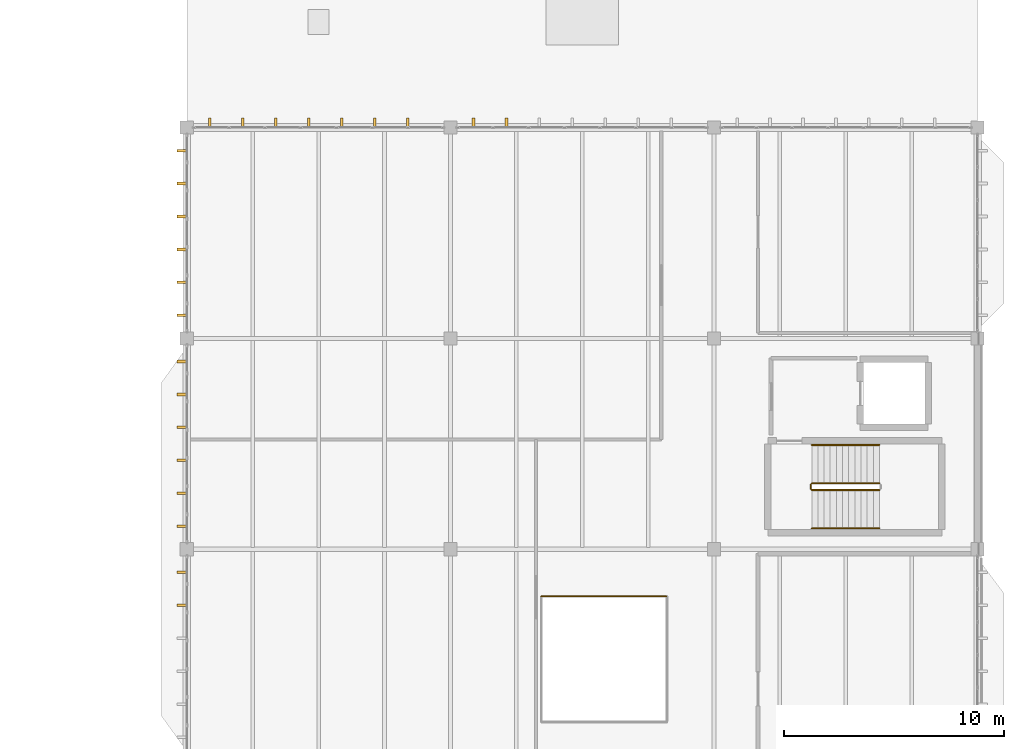
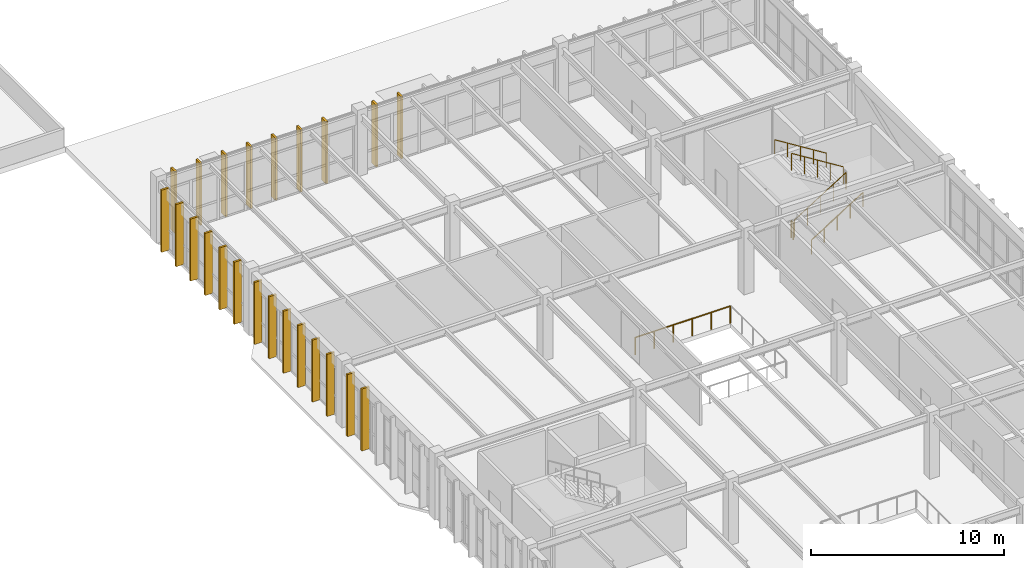
# One storey, part 81 of 83: 23 shading devices, 6 railings.
"""IFC4 building model written with IfcOpenShell, lengths in metres."""

from ifc_helpers import new_model, si_unit, direction, frame, origin, origin_2d, place, context, subcontext, project, spatial, rectangle, circle, extrude, material, type_object, element, save


model = new_model("IFC4")

# Units and contexts
model_context = context("Model", 3, precision=1e-05, world=origin(), true_north=direction((0.0, 1.0)))
body_context = subcontext(model_context, "Body", "Model", "MODEL_VIEW")
ifc_project = project(units=[si_unit("LENGTHUNIT", "METRE"), si_unit("AREAUNIT", "SQUARE_METRE"), si_unit("VOLUMEUNIT", "CUBIC_METRE"), si_unit("PLANEANGLEUNIT", "RADIAN"), si_unit("MASSUNIT", "GRAM", prefix="KILO")], contexts=[model_context])

# Site, building, storey
site_placement = place(None, origin())
site = spatial("IfcSite", under=ifc_project, at=site_placement, CompositionType="ELEMENT")
building_placement = place(site_placement, origin())
building = spatial("IfcBuilding", under=site, at=building_placement, Name="Pandanus Reach Market Hall", CompositionType="ELEMENT")
storey_placement = place(building_placement, frame((0.0, 0.0, 10.199951171875)))
storey = spatial("IfcBuildingStorey", under=building, at=storey_placement, Name="L02", CompositionType="ELEMENT", Elevation=10.199951171875)

# Shading devices
ifc_material_1 = material(Name="Precast concrete S50 (50 MPa)", Category="concrete")
shading_device_type = type_object("IfcShadingDeviceType", Name="FN-S50-450", PredefinedType="JALOUSIE", material=ifc_material_1)
for number, where, z_axis, x_axis, name in (
    (1, (145.050048828125, 86.6201171875, -0.010009765625), (0.0, 0.0, 1.0), (0.0, 1.0, 0.0), "Precast brise-soleil fin 423"),
    (2, (146.550048828125, 86.6201171875, -0.010009765625), (0.0, 0.0, 1.0), (0.0, 1.0, 0.0), "Precast brise-soleil fin 424"),
    (3, (148.050048828125, 86.6201171875, -0.010009765625), (0.0, 0.0, 1.0), (0.0, 1.0, 0.0), "Precast brise-soleil fin 425"),
    (4, (149.550048828125, 86.6201171875, -0.010009765625), (0.0, 0.0, 1.0), (0.0, 1.0, 0.0), "Precast brise-soleil fin 426"),
    (5, (151.050048828125, 86.6201171875, -0.010009765625), (0.0, 0.0, 1.0), (0.0, 1.0, 0.0), "Precast brise-soleil fin 427"),
    (6, (152.550048828125, 86.6201171875, -0.010009765625), (0.0, 0.0, 1.0), (0.0, 1.0, 0.0), "Precast brise-soleil fin 428"),
    (7, (154.050048828125, 86.6201171875, -0.010009765625), (0.0, 0.0, 1.0), (0.0, 1.0, 0.0), "Precast brise-soleil fin 429"),
    (8, (157.050048828125, 86.6201171875, -0.010009765625), (0.0, 0.0, 1.0), (0.0, 1.0, 0.0), "Precast brise-soleil fin 430"),
    (9, (158.550048828125, 86.6201171875, -0.010009765625), (0.0, 0.0, 1.0), (0.0, 1.0, 0.0), "Precast brise-soleil fin 431"),
    (10, (143.780029296875, 64.64990234375, -0.010009765625), (0.0, 0.0, 1.0), (-1.0, 0.0, 0.0), "Precast brise-soleil fin 496"),
    (11, (143.780029296875, 66.14990234375, -0.010009765625), (0.0, 0.0, 1.0), (-1.0, 0.0, 0.0), "Precast brise-soleil fin 497"),
    (12, (143.780029296875, 68.25, -0.010009765625), (0.0, 0.0, 1.0), (-1.0, 0.0, 0.0), "Precast brise-soleil fin 498"),
    (13, (143.780029296875, 69.75, -0.010009765625), (0.0, 0.0, 1.0), (-1.0, 0.0, 0.0), "Precast brise-soleil fin 499"),
    (14, (143.780029296875, 71.25, -0.010009765625), (0.0, 0.0, 1.0), (-1.0, 0.0, 0.0), "Precast brise-soleil fin 500"),
    (15, (143.780029296875, 72.75, -0.010009765625), (0.0, 0.0, 1.0), (-1.0, 0.0, 0.0), "Precast brise-soleil fin 501"),
    (16, (143.780029296875, 74.25, -0.010009765625), (0.0, 0.0, 1.0), (-1.0, 0.0, 0.0), "Precast brise-soleil fin 502"),
    (17, (143.780029296875, 75.75, -0.010009765625), (0.0, 0.0, 1.0), (-1.0, 0.0, 0.0), "Precast brise-soleil fin 503"),
    (18, (143.780029296875, 77.85009765625, -0.010009765625), (0.0, 0.0, 1.0), (-1.0, 0.0, 0.0), "Precast brise-soleil fin 504"),
    (19, (143.780029296875, 79.35009765625, -0.010009765625), (0.0, 0.0, 1.0), (-1.0, 0.0, 0.0), "Precast brise-soleil fin 505"),
    (20, (143.780029296875, 80.85009765625, -0.010009765625), (0.0, 0.0, 1.0), (-1.0, 0.0, 0.0), "Precast brise-soleil fin 506"),
    (21, (143.780029296875, 82.35009765625, -0.010009765625), (0.0, 0.0, 1.0), (-1.0, 0.0, 0.0), "Precast brise-soleil fin 507"),
    (22, (143.780029296875, 83.85009765625, -0.010009765625), (0.0, 0.0, 1.0), (-1.0, 0.0, 0.0), "Precast brise-soleil fin 508"),
    (23, (143.780029296875, 85.35009765625, -0.010009765625), (0.0, 0.0, 1.0), (-1.0, 0.0, 0.0), "Precast brise-soleil fin 509"),
):
    element("IfcShadingDevice", number, at=place(storey_placement, frame(where, z_axis=z_axis, x_axis=x_axis)), inside=storey, type_object=shading_device_type, Name=name, PredefinedType="JALOUSIE", context=body_context, shape_type="SweptSolid", body=[
        extrude(rectangle(XDim=0.449951171875, YDim=0.1201171875, at=origin_2d()), origin(), (0.0, 0.0, 1.0), 3.919921875),
    ])

# Railings
ifc_material_2 = material(Name="Galvanised steel Grade 350 (350 MPa)", Category="steel")
railing_type_1 = type_object("IfcRailingType", Name="GR-INT-110", PredefinedType="GUARDRAIL", material=ifc_material_2)
railing_1_placement = place(storey_placement, frame((172.449951171875, 69.89990234375, 0.175048828125)))
element("IfcRailing", 24, at=railing_1_placement, inside=storey, type_object=railing_type_1, Name="Stair guard ST-02 L02.50", PredefinedType="GUARDRAIL", context=body_context, shape_type="SweptSolid", body=[
    extrude(circle(Radius=0.02392578125, at=origin_2d()), frame((0.0, 0.0, 1.076171875), z_axis=(0.847998304005, 0.0, 0.529998940003), x_axis=(0.0, 1.0, 0.0)), (0.0, 0.0, 1.0), 3.632080078125),
    extrude(circle(Radius=0.02099609375, at=origin_2d()), origin(), (0.0, 0.0, 1.0), 1.052001953125),
    extrude(circle(Radius=0.02099609375, at=origin_2d()), frame((0.77001953125, 0.0, 0.481201171875)), (0.0, 0.0, 1.0), 1.052001953125),
    extrude(circle(Radius=0.02099609375, at=origin_2d()), frame((1.5400390625, 0.0, 0.96240234375)), (0.0, 0.0, 1.0), 1.052001953125),
    extrude(circle(Radius=0.02099609375, at=origin_2d()), frame((2.31005859375, 0.0, 1.44384765625)), (0.0, 0.0, 1.0), 1.052001953125),
    extrude(circle(Radius=0.02099609375, at=origin_2d()), frame((3.080078125, 0.0, 1.925048828125)), (0.0, 0.0, 1.0), 1.052001953125),
])
railing_2_placement = place(storey_placement, frame((175.530029296875, 70.199951171875, 2.275146484375)))
element("IfcRailing", 25, at=railing_2_placement, inside=storey, type_object=railing_type_1, Name="Stair guard ST-02 L02.52", PredefinedType="GUARDRAIL", context=body_context, shape_type="SweptSolid", body=[
    extrude(circle(Radius=0.02392578125, at=origin_2d()), frame((0.0, 0.0, 1.076171875), z_axis=(-0.848028513186, 0.0, 0.529950602248), x_axis=(0.0, -1.0, 0.0)), (0.0, 0.0, 1.0), 3.632080078125),
    extrude(circle(Radius=0.02099609375, at=origin_2d()), origin(), (0.0, 0.0, 1.0), 1.052001953125),
    extrude(circle(Radius=0.02099609375, at=origin_2d()), frame((-0.77001953125, 0.0, 0.481201171875)), (0.0, 0.0, 1.0), 1.052001953125),
    extrude(circle(Radius=0.02099609375, at=origin_2d()), frame((-1.5400390625, 0.0, 0.96240234375)), (0.0, 0.0, 1.0), 1.052001953125),
    extrude(circle(Radius=0.02099609375, at=origin_2d()), frame((-2.31005859375, 0.0, 1.443603515625)), (0.0, 0.0, 1.0), 1.052001953125),
    extrude(circle(Radius=0.02099609375, at=origin_2d()), frame((-3.080078125, 0.0, 1.9248046875)), (0.0, 0.0, 1.0), 1.052001953125),
])
railing_3_placement = place(storey_placement, frame((172.39990234375, 69.949951171875, 0.0)))
element("IfcRailing", 26, at=railing_3_placement, inside=storey, type_object=railing_type_1, Name="Stair guard ST-02 L02.53", PredefinedType="GUARDRAIL", context=body_context, shape_type="SweptSolid", body=[
    extrude(circle(Radius=0.02392578125, at=origin_2d()), frame((0.0, 0.0, 1.076171875), z_axis=(0.0, 1.0, 0.0), x_axis=(-1.0, 0.0, 0.0)), (0.0, 0.0, 1.0), 0.199951171875),
    extrude(circle(Radius=0.02099609375, at=origin_2d()), origin(), (0.0, 0.0, 1.0), 1.052001953125),
    extrude(circle(Radius=0.02099609375, at=origin_2d()), frame((0.0, 0.199951171875, 0.0)), (0.0, 0.0, 1.0), 1.052001953125),
])
railing_4_placement = place(storey_placement, frame((165.820068359375, 65.06005859375, 0.0)))
element("IfcRailing", 27, at=railing_4_placement, inside=storey, type_object=railing_type_1, Name="Atrium lightwell guard L02.239", PredefinedType="GUARDRAIL", context=body_context, shape_type="SweptSolid", body=[
    extrude(circle(Radius=0.02392578125, at=origin_2d()), frame((0.0, 0.0, 1.076171875), z_axis=(-1.0, 0.0, 0.0), x_axis=(0.0, -1.0, 0.0)), (0.0, 0.0, 1.0), 5.68017578125),
    extrude(circle(Radius=0.02099609375, at=origin_2d()), origin(), (0.0, 0.0, 1.0), 1.052001953125),
    extrude(circle(Radius=0.02099609375, at=origin_2d()), frame((-1.135986328125, 0.0, 0.0)), (0.0, 0.0, 1.0), 1.052001953125),
    extrude(circle(Radius=0.02099609375, at=origin_2d()), frame((-2.27197265625, 0.0, 0.0)), (0.0, 0.0, 1.0), 1.052001953125),
    extrude(circle(Radius=0.02099609375, at=origin_2d()), frame((-3.408203125, 0.0, 0.0)), (0.0, 0.0, 1.0), 1.052001953125),
    extrude(circle(Radius=0.02099609375, at=origin_2d()), frame((-4.544189453125, 0.0, 0.0)), (0.0, 0.0, 1.0), 1.052001953125),
    extrude(circle(Radius=0.02099609375, at=origin_2d()), frame((-5.68017578125, 0.0, 0.0)), (0.0, 0.0, 1.0), 1.052001953125),
])
ifc_material_3 = material(Name="Brushed stainless steel", Category="steel")
railing_type_2 = type_object("IfcRailingType", Name="HR-WAL-090", PredefinedType="HANDRAIL", material=ifc_material_3)
railing_5_placement = place(storey_placement, frame((172.449951171875, 68.14990234375, 0.175048828125)))
element("IfcRailing", 28, at=railing_5_placement, inside=storey, type_object=railing_type_2, Name="Stair handrail ST-02 L02.54", PredefinedType="HANDRAIL", context=body_context, shape_type="SweptSolid", body=[
    extrude(circle(Radius=0.02392578125, at=origin_2d()), frame((0.0, 0.0, 0.8759765625), z_axis=(0.847998304005, 0.0, 0.529998940003), x_axis=(0.0, 1.0, 0.0)), (0.0, 0.0, 1.0), 3.632080078125),
    extrude(circle(Radius=0.02099609375, at=origin_2d()), origin(), (0.0, 0.0, 1.0), 0.851806640625),
    extrude(circle(Radius=0.02099609375, at=origin_2d()), frame((0.77001953125, 0.0, 0.481201171875)), (0.0, 0.0, 1.0), 0.851806640625),
    extrude(circle(Radius=0.02099609375, at=origin_2d()), frame((1.5400390625, 0.0, 0.96240234375)), (0.0, 0.0, 1.0), 0.851806640625),
    extrude(circle(Radius=0.02099609375, at=origin_2d()), frame((2.31005859375, 0.0, 1.44384765625)), (0.0, 0.0, 1.0), 0.851806640625),
    extrude(circle(Radius=0.02099609375, at=origin_2d()), frame((3.080078125, 0.0, 1.925048828125)), (0.0, 0.0, 1.0), 0.851806640625),
])
railing_6_placement = place(storey_placement, frame((175.530029296875, 71.949951171875, 2.275146484375)))
element("IfcRailing", 29, at=railing_6_placement, inside=storey, type_object=railing_type_2, Name="Stair handrail ST-02 L02.55", PredefinedType="HANDRAIL", context=body_context, shape_type="SweptSolid", body=[
    extrude(circle(Radius=0.02392578125, at=origin_2d()), frame((0.0, 0.0, 0.8759765625), z_axis=(-0.848028513186, 0.0, 0.529950602248), x_axis=(0.0, -1.0, 0.0)), (0.0, 0.0, 1.0), 3.632080078125),
    extrude(circle(Radius=0.02099609375, at=origin_2d()), origin(), (0.0, 0.0, 1.0), 0.851806640625),
    extrude(circle(Radius=0.02099609375, at=origin_2d()), frame((-0.77001953125, 0.0, 0.481201171875)), (0.0, 0.0, 1.0), 0.851806640625),
    extrude(circle(Radius=0.02099609375, at=origin_2d()), frame((-1.5400390625, 0.0, 0.96240234375)), (0.0, 0.0, 1.0), 0.851806640625),
    extrude(circle(Radius=0.02099609375, at=origin_2d()), frame((-2.31005859375, 0.0, 1.443603515625)), (0.0, 0.0, 1.0), 0.851806640625),
    extrude(circle(Radius=0.02099609375, at=origin_2d()), frame((-3.080078125, 0.0, 1.9248046875)), (0.0, 0.0, 1.0), 0.851806640625),
])

save(model, "model.ifc")
